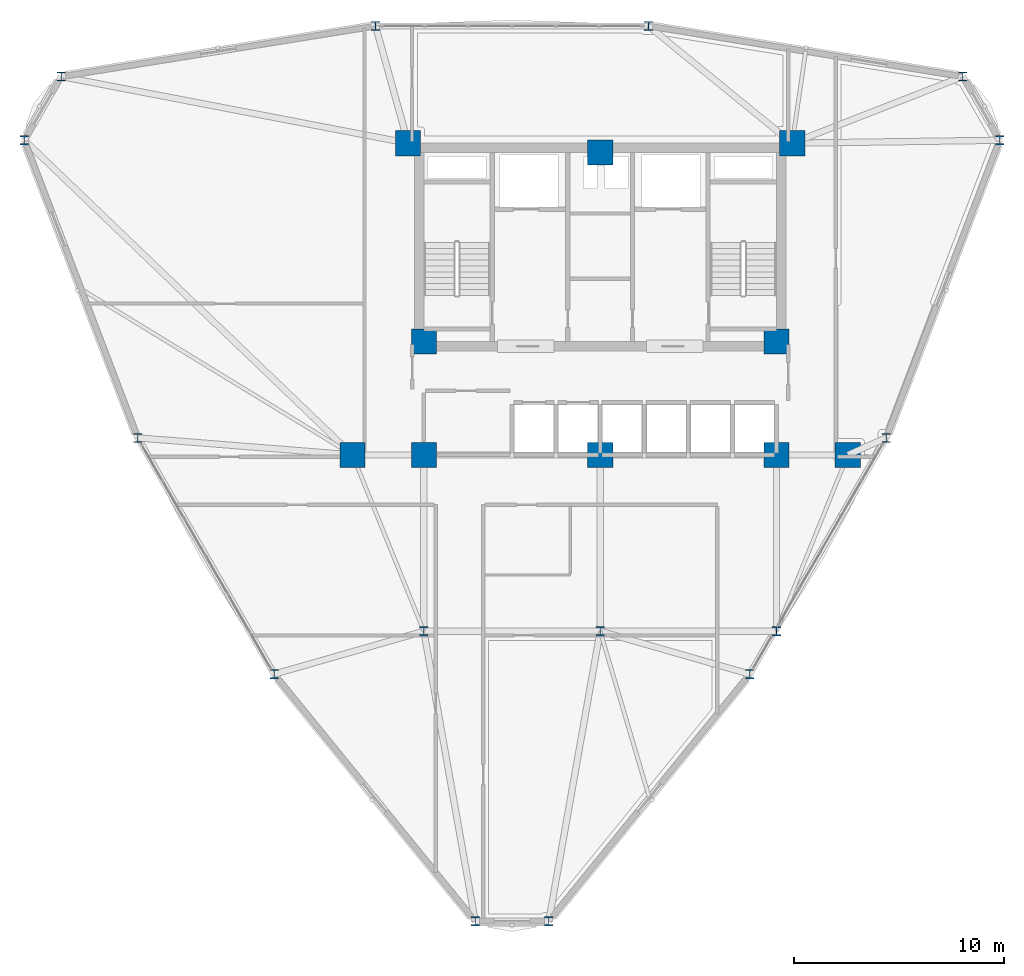
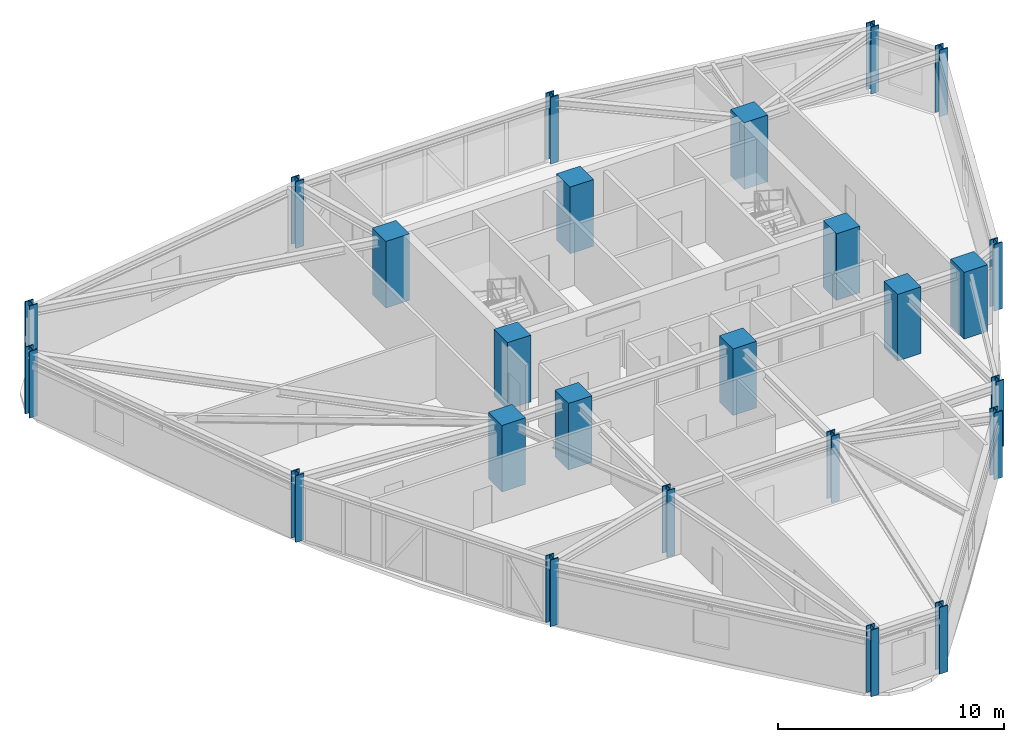
# One storey, part 1 of 15: 25 columns.
"""IFC4 building model written with IfcOpenShell, lengths in metres."""

from ifc_helpers import new_model, si_unit, derived_unit, direction, frame, origin, origin_2d, place, context, subcontext, project, spatial, rectangle, i_section, extrude, source, transform, mapped, material, material_profile, profile_set, type_object, element, save


model = new_model("IFC4")

# Units and contexts
model_context = context("Model", 3, precision=1e-05, world=origin(), true_north=direction((0.0, 1.0)))
body_context = subcontext(model_context, "Body", "Model", "MODEL_VIEW")
ifc_project = project(units=[si_unit("LENGTHUNIT", "METRE"), si_unit("AREAUNIT", "SQUARE_METRE"), si_unit("VOLUMEUNIT", "CUBIC_METRE"), si_unit("PLANEANGLEUNIT", "RADIAN"), si_unit("MASSUNIT", "GRAM", prefix="KILO"), derived_unit("THERMALTRANSMITTANCEUNIT", [(si_unit("POWERUNIT", "WATT"), 1), (si_unit("LENGTHUNIT", "METRE"), -2), (si_unit("THERMODYNAMICTEMPERATUREUNIT", "KELVIN"), -1)])], contexts=[model_context])

# Site, building, storey
site_placement = place(None, origin())
site = spatial("IfcSite", under=ifc_project, at=site_placement, CompositionType="ELEMENT")
building_placement = place(site_placement, origin())
building = spatial("IfcBuilding", under=site, at=building_placement, Name="Korsvarv Bourse and Concert Hall", CompositionType="ELEMENT")
storey_placement = place(building_placement, frame((0.0, 0.0, 150.60009765625)))
storey = spatial("IfcBuildingStorey", under=building, at=storey_placement, Name="L38", CompositionType="ELEMENT", Elevation=150.60009765625)

# Columns
ifc_material_1 = material(Name="Concrete C60/75", Category="concrete")
ifc_material_profile_1 = material_profile(ifc_material_1, rectangle(XDim=1.199951171875, YDim=1.199951171875, at=origin_2d()), Name="RC 1200x1200")
ifc_profile_set_1 = profile_set([ifc_material_profile_1], Name="Concrete C60/75")
column_type_1 = type_object("IfcColumnType", Name="COL-RC1200", PredefinedType="COLUMN", material=ifc_profile_set_1)
shared_shape_1 = source(origin(), body_context, "Body", "SweptSolid", [
    extrude(rectangle(XDim=1.199951171875, YDim=1.199951171875, at=origin_2d()), origin(), (0.0, 0.0, 1.0), 3.599853515625),
])
for number, where, z_axis, x_axis, name in (
    (1, (26.85009765625, 47.25, 0.0), (0.0, 0.0, 1.0), (1.0, 0.0, 0.0), "L38 column C-02"),
    (2, (45.14990234375, 47.25, 0.0), (0.0, 0.0, 1.0), (1.0, 0.0, 0.0), "L38 column C-02"),
    (3, (27.60009765625, 37.800048828125, 0.0), (0.0, 0.0, 1.0), (1.0, 0.0, 0.0), "L38 column C-02"),
    (4, (44.39990234375, 37.800048828125, 0.0), (0.0, 0.0, 1.0), (1.0, 0.0, 0.0), "L38 column C-02"),
    (5, (27.60009765625, 32.39990234375, 0.0), (0.0, 0.0, 1.0), (1.0, 0.0, 0.0), "L38 column C-02"),
    (6, (44.39990234375, 32.39990234375, 0.0), (0.0, 0.0, 1.0), (1.0, 0.0, 0.0), "L38 column C-02"),
    (7, (36.0, 46.800048828125, 0.0), (0.0, 0.0, 1.0), (1.0, 0.0, 0.0), "L38 column C-02"),
    (8, (36.0, 32.39990234375, 0.0), (0.0, 0.0, 1.0), (1.0, 0.0, 0.0), "L38 column C-02"),
    (9, (24.199951171875, 32.39990234375, 0.0), (0.0, 0.0, 1.0), (1.0, 0.0, 0.0), "L38 column C-02"),
    (10, (47.800048828125, 32.39990234375, 0.0), (0.0, 0.0, 1.0), (1.0, 0.0, 0.0), "L38 column C-02"),
):
    element("IfcColumn", number, at=place(storey_placement, frame(where, z_axis=z_axis, x_axis=x_axis)), inside=storey, type_object=column_type_1, Name=name, PredefinedType="COLUMN", context=body_context, shape_type="MappedRepresentation", body=[
        mapped(shared_shape_1, transform((0.0, 0.0, 0.0), scale=1.0)),
    ])
ifc_material_2 = material(Name="Steel S355", Category="steel")
ifc_material_profile_2 = material_profile(ifc_material_2, i_section(OverallWidth=0.412109375, OverallDepth=0.43505859375, WebThickness=0.032958984375, FlangeThickness=0.052978515625, FilletRadius=0.014892578125, at=origin_2d()), Name="HD 400x463")
ifc_profile_set_2 = profile_set([ifc_material_profile_2], Name="Steel S355")
column_type_2 = type_object("IfcColumnType", Name="COL-HD463", PredefinedType="COLUMN", material=ifc_profile_set_2)
shared_shape_2 = source(origin(), body_context, "Body", "SweptSolid", [
    extrude(i_section(OverallWidth=0.412109375, OverallDepth=0.43505859375, WebThickness=0.032958984375, FlangeThickness=0.052978515625, FilletRadius=0.014892578125, at=origin_2d()), origin(), (0.0, 0.0, 1.0), 3.599853515625),
])
for number, where, z_axis, x_axis, name in (
    (11, (27.60009765625, 24.0, 0.0), (0.0, 0.0, 1.0), (1.0, 0.0, 0.0), "L38 column C-09"),
    (12, (44.39990234375, 24.0, 0.0), (0.0, 0.0, 1.0), (1.0, 0.0, 0.0), "L38 column C-09"),
    (13, (36.0, 24.0, 0.0), (0.0, 0.0, 1.0), (1.0, 0.0, 0.0), "L38 column C-09"),
    (14, (55.033935546875, 47.39013671875, 0.0), (0.0, 0.0, 1.0), (1.0, 0.0, 0.0), "L38 column C-09"),
    (15, (53.281005859375, 50.42626953125, 0.0), (0.0, 0.0, 1.0), (1.0, 0.0, 0.0), "L38 column C-09"),
    (16, (38.30078125, 52.83642578125, 0.0), (0.0, 0.0, 1.0), (1.0, 0.0, 0.0), "L38 column C-09"),
    (17, (25.29931640625, 52.83642578125, 0.0), (0.0, 0.0, 1.0), (1.0, 0.0, 0.0), "L38 column C-09"),
    (18, (10.31884765625, 50.42626953125, 0.0), (0.0, 0.0, 1.0), (1.0, 0.0, 0.0), "L38 column C-09"),
    (19, (8.56591796875, 47.39013671875, 0.0), (0.0, 0.0, 1.0), (1.0, 0.0, 0.0), "L38 column C-09"),
    (20, (13.96875, 33.211669921875, 0.0), (0.0, 0.0, 1.0), (1.0, 0.0, 0.0), "L38 column C-09"),
    (21, (20.469482421875, 21.951904296875, 0.0), (0.0, 0.0, 1.0), (1.0, 0.0, 0.0), "L38 column C-09"),
    (22, (30.047119140625, 10.183837890625, 0.0), (0.0, 0.0, 1.0), (1.0, 0.0, 0.0), "L38 column C-09"),
    (23, (33.552978515625, 10.183837890625, 0.0), (0.0, 0.0, 1.0), (1.0, 0.0, 0.0), "L38 column C-09"),
    (24, (43.13037109375, 21.951904296875, 0.0), (0.0, 0.0, 1.0), (1.0, 0.0, 0.0), "L38 column C-09"),
    (25, (49.631103515625, 33.211669921875, 0.0), (0.0, 0.0, 1.0), (1.0, 0.0, 0.0), "L38 column C-09"),
):
    element("IfcColumn", number, at=place(storey_placement, frame(where, z_axis=z_axis, x_axis=x_axis)), inside=storey, type_object=column_type_2, Name=name, PredefinedType="COLUMN", context=body_context, shape_type="MappedRepresentation", body=[
        mapped(shared_shape_2, transform((0.0, 0.0, 0.0), scale=1.0)),
    ])

save(model, "model.ifc")
